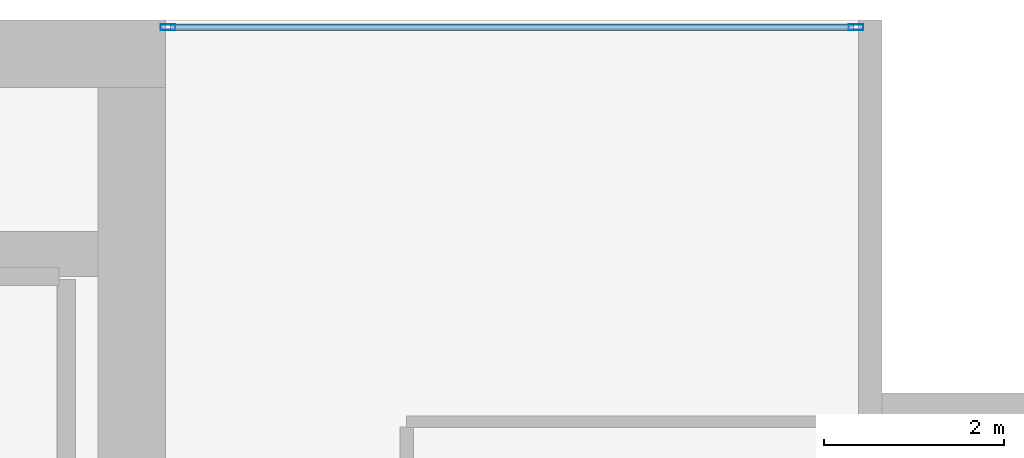
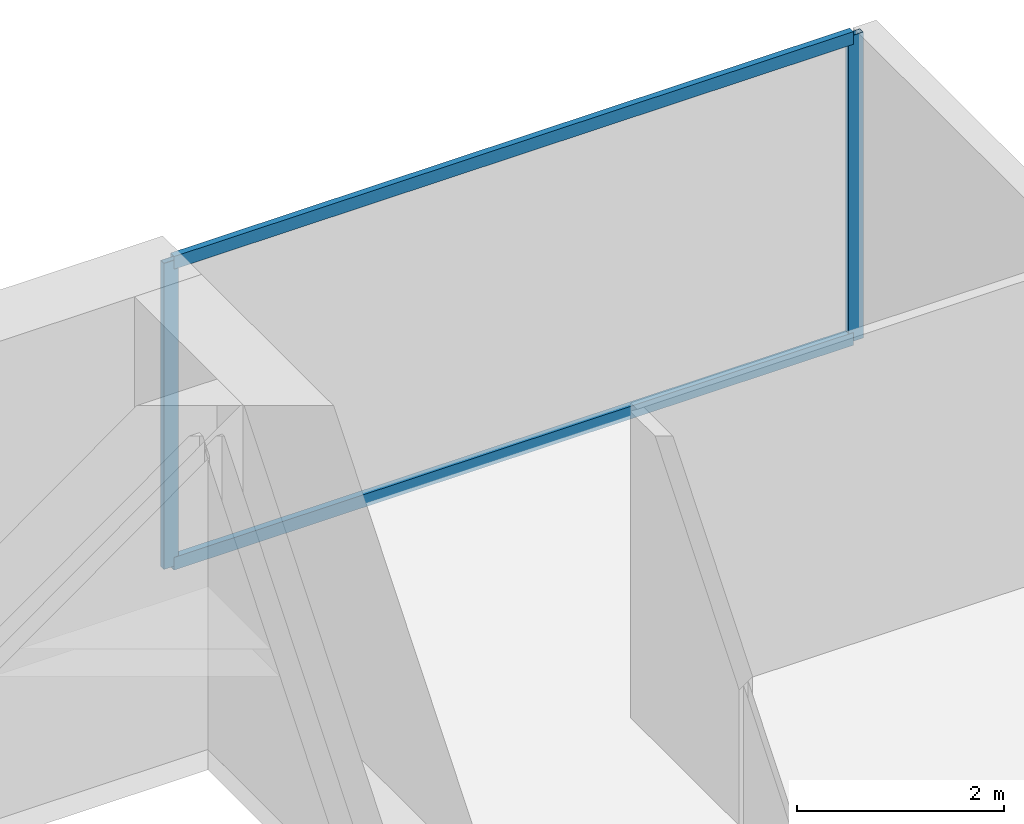
# One storey, part 25 of 34: 4 members, 1 element without a shape of its own.
"""IFC4 building model written with IfcOpenShell, lengths in metres."""

import ifcopenshell
import ifcopenshell.guid

model = None  # the IFC model being written
_history = None  # IfcOwnerHistory: only IFC2X3 demands one
_inside = {}  # id of a spatial element -> (the spatial element, [elements in it])
_under = {}  # id of a project, library or spatial element -> (it, [spatial elements below it])
_declared = {}  # id of a project -> (the project, [libraries it declares])
_typed = {}  # id of a type object -> (the type object, [elements of that type])
_made_of = {}  # id of a material, layer set ... -> (it, [elements and type objects made of it])


def new_model(schema):
    """Start an empty IFC model of exactly this schema.

    Asked for "IFC4X3", IfcOpenShell would pick the latest addendum, in which some entities
    have other attributes; the version numbers below select the first issue.
    IFC2X3 requires an IfcOwnerHistory on every rooted entity: one is made here for all.
    """
    global model, _history
    if schema == "IFC4X3":
        model = ifcopenshell.file(schema_version=(4, 3, 0, 0))
    else:
        model = ifcopenshell.file(schema=schema)
    _inside.clear()
    _under.clear()
    _declared.clear()
    _typed.clear()
    _made_of.clear()
    _history = None
    if model.schema == "IFC2X3":
        org = make("IfcOrganization", Name="unknown")
        user = make(
            "IfcPersonAndOrganization",
            ThePerson=make("IfcPerson", FamilyName="unknown"),
            TheOrganization=org,
        )
        app = make(
            "IfcApplication",
            ApplicationDeveloper=org,
            Version="unknown",
            ApplicationFullName="unknown",
            ApplicationIdentifier="unknown",
        )
        _history = make(
            "IfcOwnerHistory",
            OwningUser=user,
            OwningApplication=app,
            ChangeAction="ADDED",
            CreationDate=0,
        )
    return model


def make(cls, **values):
    """One entity of the class cls with the attributes given. An attribute that is None is left unset."""
    return model.create_entity(
        cls, **{name: value for name, value in values.items() if value is not None}
    )


def rooted(cls, **values):
    """An entity with a GlobalId (a new one), such as an element, a storey or a relation."""
    return make(cls, GlobalId=ifcopenshell.guid.new(), OwnerHistory=_history, **values)


def si_unit(unit_type, name, prefix=None):
    """IfcSIUnit, for example si_unit("LENGTHUNIT", "METRE", prefix="MILLI")."""
    return make("IfcSIUnit", UnitType=unit_type, Prefix=prefix, Name=name)


def assignment(units):
    """IfcUnitAssignment: the units of a project."""
    return None if units is None else make("IfcUnitAssignment", Units=units)


def point(xyz):
    """IfcCartesianPoint."""
    return None if xyz is None else make("IfcCartesianPoint", Coordinates=xyz)


def direction(xyz):
    """IfcDirection."""
    return None if xyz is None else make("IfcDirection", DirectionRatios=xyz)


def frame(location, z_axis=None, x_axis=None):
    """IfcAxis2Placement3D, a coordinate frame: its origin and axes. An axis left out is left unset."""
    return make(
        "IfcAxis2Placement3D",
        Location=point(location),
        Axis=direction(z_axis),
        RefDirection=direction(x_axis),
    )


def frame_2d(location, x_axis=None):
    """IfcAxis2Placement2D, a coordinate frame in the plane: its origin and x axis."""
    return make(
        "IfcAxis2Placement2D", Location=point(location), RefDirection=direction(x_axis)
    )


def origin():
    """The frame at (0, 0, 0) with its axes left unset."""
    return frame((0.0, 0.0, 0.0))


def origin_2d():
    """The frame at (0, 0) in the plane with its x axis left unset."""
    return frame_2d((0.0, 0.0))


def place(relative_to, where):
    """IfcLocalPlacement: puts the frame where relative to a parent placement (None: the world)."""
    return make(
        "IfcLocalPlacement", PlacementRelTo=relative_to, RelativePlacement=where
    )


def context(
    kind, dimensions, precision=None, world=None, true_north=None, identifier=None
):
    """IfcGeometricRepresentationContext, for example the 3D "Model" context."""
    return make(
        "IfcGeometricRepresentationContext",
        ContextIdentifier=identifier,
        ContextType=kind,
        CoordinateSpaceDimension=dimensions,
        Precision=precision,
        WorldCoordinateSystem=world,
        TrueNorth=true_north,
    )


def subcontext(parent, identifier, kind, view, scale=None):
    """IfcGeometricRepresentationSubContext, for example "Body" below "Model"."""
    return make(
        "IfcGeometricRepresentationSubContext",
        ContextIdentifier=identifier,
        ContextType=kind,
        ParentContext=parent,
        TargetScale=scale,
        TargetView=view,
    )


def project(units=None, contexts=None):
    """IfcProject with its units and contexts."""
    return rooted(
        "IfcProject",
        Name="project",
        RepresentationContexts=contexts,
        UnitsInContext=assignment(units),
    )


def spatial(cls, under=None, at=None, **own):
    """A site, building, storey or space (cls), placed at a placement, below another one or the project."""
    s = rooted(cls, ObjectPlacement=at, **own)
    if under is not None:
        _under.setdefault(under.id(), (under, []))[1].append(s)
    return s


def profile(cls, at=None, kind="AREA", **sizes):
    """A parametric profile (cls). Its sizes go by their IFC names, for example OverallWidth=200.0."""
    return make(cls, ProfileType=kind, Position=at, **sizes)


def hollow_rectangle(**sizes):
    """IfcRectangleHollowProfileDef."""
    return profile("IfcRectangleHollowProfileDef", **sizes)


def extrude(swept, where, along, depth):
    """IfcExtrudedAreaSolid: the profile swept, set in the frame where, extruded along a direction by depth."""
    return make(
        "IfcExtrudedAreaSolid",
        SweptArea=swept,
        Position=where,
        ExtrudedDirection=direction(along),
        Depth=depth,
    )


def shape(context_of_items, identifier, shape_type, items):
    """IfcShapeRepresentation: the items that make up one representation, for example the "Body"."""
    return make(
        "IfcShapeRepresentation",
        ContextOfItems=context_of_items,
        RepresentationIdentifier=identifier,
        RepresentationType=shape_type,
        Items=items,
    )


def material(Name=None, Category=None):
    """IfcMaterial."""
    return make("IfcMaterial", Name=Name, Category=Category)


def layer(
    of_material, thickness, ventilated=None, Name=None, Category=None, Priority=None
):
    """IfcMaterialLayer: one layer of a wall or slab, of a material (None: an air gap)."""
    return make(
        "IfcMaterialLayer",
        Material=of_material,
        LayerThickness=thickness,
        IsVentilated=ventilated,
        Name=Name,
        Category=Category,
        Priority=Priority,
    )


def layer_set(layers, Name=None):
    """IfcMaterialLayerSet."""
    return make("IfcMaterialLayerSet", MaterialLayers=layers, LayerSetName=Name)


def material_profile(
    of_material, cross_section, Name=None, Category=None, Priority=None
):
    """IfcMaterialProfile: a cross section and its material."""
    return make(
        "IfcMaterialProfile",
        Name=Name,
        Material=of_material,
        Profile=cross_section,
        Priority=Priority,
        Category=Category,
    )


def profile_set(profiles, Name=None, composite=None):
    """IfcMaterialProfileSet."""
    return make(
        "IfcMaterialProfileSet",
        Name=Name,
        MaterialProfiles=profiles,
        CompositeProfile=composite,
    )


def made_of(thing, what):
    """Note that an element or type object is made of a material, layer set ...; save() writes the relation."""
    if what is not None:
        _made_of.setdefault(what.id(), (what, []))[1].append(thing)
    return thing


def type_object(cls, material=None, **own):
    """A type object (cls), such as IfcWallType, which elements share."""
    return made_of(rooted(cls, **own), material)


def element(
    cls,
    number,
    at=None,
    inside=None,
    cuts=None,
    type_object=None,
    material=None,
    context=None,
    identifier="Body",
    shape_type=None,
    held_by="IfcProductDefinitionShape",
    body=None,
    shapes=None,
    **own,
):
    """One element of the class cls, such as IfcWall. Its Tag is "e" and its number.

    at: its placement. inside: the storey or other place that contains it. cuts: it is an
    opening in that element (IfcRelVoidsElement). A single representation is given by context,
    identifier, shape_type and body (its items); several are given by shapes. held_by: the class
    of the entity that holds the representations. save() writes the other relations.
    """
    e = rooted(cls, Tag="e%d" % number, ObjectPlacement=at, **own)
    if body is not None:
        shapes = [shape(context, identifier, shape_type, body)]
    if shapes is not None:
        e.Representation = make(held_by, Representations=shapes)
    if inside is not None:
        _inside.setdefault(inside.id(), (inside, []))[1].append(e)
    if cuts is not None:
        rooted(
            "IfcRelVoidsElement", RelatingBuildingElement=cuts, RelatedOpeningElement=e
        )
    if type_object is not None:
        _typed.setdefault(type_object.id(), (type_object, []))[1].append(e)
    return made_of(e, material)


def aggregate(whole, parts):
    """IfcRelAggregates: a whole, such as a stair, and the parts it consists of."""
    return rooted("IfcRelAggregates", RelatingObject=whole, RelatedObjects=parts)


def save(model, path):
    """Write the relations noted so far, then the file.

    IfcRelAggregates (storeys below a building ...), IfcRelContainedInSpatialStructure (elements
    in a storey), IfcRelDefinesByType, IfcRelAssociatesMaterial and IfcRelDeclares: one each for
    every whole, place, type object, material and project.
    """
    for whole, parts in _under.values():
        aggregate(whole, parts)
    for where, things in _inside.values():
        rooted(
            "IfcRelContainedInSpatialStructure",
            RelatedElements=things,
            RelatingStructure=where,
        )
    for kind, things in _typed.values():
        rooted("IfcRelDefinesByType", RelatedObjects=things, RelatingType=kind)
    for what, things in _made_of.values():
        rooted("IfcRelAssociatesMaterial", RelatedObjects=things, RelatingMaterial=what)
    for by, libraries in _declared.values():
        rooted("IfcRelDeclares", RelatingContext=by, RelatedDefinitions=libraries)
    model.write(path)


model = new_model("IFC4")

# Units and contexts
model_context = context("Model", 3, precision=1e-05, world=origin(), true_north=direction((0.0, 1.0)))
body_context = subcontext(model_context, "Body", "Model", "MODEL_VIEW")
ifc_project = project(units=[si_unit("LENGTHUNIT", "METRE"), si_unit("AREAUNIT", "SQUARE_METRE"), si_unit("VOLUMEUNIT", "CUBIC_METRE"), si_unit("PLANEANGLEUNIT", "RADIAN"), si_unit("MASSUNIT", "GRAM", prefix="KILO")], contexts=[model_context])

# Site, building, storey
site_placement = place(None, origin())
site = spatial("IfcSite", under=ifc_project, at=site_placement, CompositionType="ELEMENT")
building_placement = place(site_placement, origin())
building = spatial("IfcBuilding", under=site, at=building_placement, Name="Maruvema Waterfront Hotel and Observation Tower", CompositionType="ELEMENT")
storey_placement = place(building_placement, frame((0.0, 0.0, 185.14990234375)))
storey = spatial("IfcBuildingStorey", under=building, at=storey_placement, Name="L45", CompositionType="ELEMENT", Elevation=185.14990234375)

# Curtain wall, members
ifc_material_1 = material(Name="Anodised bronze aluminium and solar-control low-E IGU", Category="aluminium")
ifc_layer = layer(ifc_material_1, 0.159912109375, Name="Zone 2 Amber Inner Thermal Curtain Wall System CW-03")
ifc_layer_set = layer_set([ifc_layer], Name="Anodised bronze aluminium and solar-control low-E IGU")
curtain_wall_type = type_object("IfcCurtainWallType", Name="Zone 2 Amber Inner Thermal Curtain Wall System CW-03", PredefinedType="USERDEFINED", material=ifc_layer_set)
curtain_wall_placement = place(storey_placement, origin())
curtain_wall = element("IfcCurtainWall", 1, at=curtain_wall_placement, inside=storey, type_object=curtain_wall_type, Name="L45 Curtain Wall CW-L45-NE", ObjectType="UNITISED CURTAIN WALL", PredefinedType="USERDEFINED")
ifc_material_2 = material(Name="Anodised architectural bronze aluminium", Category="aluminium")
ifc_material_profile_1 = material_profile(ifc_material_2, hollow_rectangle(XDim=0.070068359375, YDim=0.14990234375, WallThickness=0.00390625, at=origin_2d()), Name="ALU-T70x150")
ifc_profile_set_1 = profile_set([ifc_material_profile_1], Name="Anodised architectural bronze aluminium")
member_type_1 = type_object("IfcMemberType", Name="Curtain Wall Horizontal Transom ALU-T70x150", PredefinedType="USERDEFINED", material=ifc_profile_set_1)
member_1_placement = place(storey_placement, frame((58.0400390625, 53.919921875, 0.030029296875), z_axis=(-1.0, 0.0, 0.0), x_axis=(0.0, -1.0, 0.0)))
member_1 = element("IfcMember", 2, at=member_1_placement, type_object=member_type_1, Name="CW-03 transom 1.1", ObjectType="TRANSOM", PredefinedType="USERDEFINED", context=body_context, shape_type="SweptSolid", body=[
    extrude(hollow_rectangle(XDim=0.070068359375, YDim=0.14990234375, WallThickness=0.00390625, at=origin_2d()), origin(), (0.0, 0.0, 1.0), 7.580078125),
])
member_2_placement = place(storey_placement, frame((58.0400390625, 53.919921875, 3.580078125), z_axis=(-1.0, 0.0, 0.0), x_axis=(0.0, -1.0, 0.0)))
member_2 = element("IfcMember", 3, at=member_2_placement, type_object=member_type_1, Name="CW-03 transom 1.2", ObjectType="TRANSOM", PredefinedType="USERDEFINED", context=body_context, shape_type="SweptSolid", body=[
    extrude(hollow_rectangle(XDim=0.070068359375, YDim=0.14990234375, WallThickness=0.00390625, at=origin_2d()), origin(), (0.0, 0.0, 1.0), 7.580078125),
])
ifc_material_3 = material(Name="Anodised architectural bronze aluminium", Category="aluminium")
ifc_material_profile_2 = material_profile(ifc_material_3, hollow_rectangle(XDim=0.06494140625, YDim=0.1650390625, WallThickness=0.00390625, at=origin_2d()), Name="ALU-M65x165")
ifc_profile_set_2 = profile_set([ifc_material_profile_2], Name="Anodised architectural bronze aluminium")
member_type_2 = type_object("IfcMemberType", Name="Curtain Wall Primary Mullion ALU-M65x165", PredefinedType="MULLION", material=ifc_profile_set_2)
member_3_placement = place(storey_placement, frame((58.070068359375, 53.919921875, 0.0), z_axis=(0.0, 0.0, 1.0), x_axis=(0.0, -1.0, 0.0)))
member_3 = element("IfcMember", 4, at=member_3_placement, type_object=member_type_2, Name="CW-03 mullion 1", PredefinedType="MULLION", context=body_context, shape_type="SweptSolid", body=[
    extrude(hollow_rectangle(XDim=0.06494140625, YDim=0.1650390625, WallThickness=0.00390625, at=origin_2d()), origin(), (0.0, 0.0, 1.0), 3.610107421875),
])
member_4_placement = place(storey_placement, frame((50.429931640625, 53.919921875, 0.0), z_axis=(0.0, 0.0, 1.0), x_axis=(0.0, -1.0, 0.0)))
member_4 = element("IfcMember", 5, at=member_4_placement, type_object=member_type_2, Name="CW-03 mullion 2", PredefinedType="MULLION", context=body_context, shape_type="SweptSolid", body=[
    extrude(hollow_rectangle(XDim=0.06494140625, YDim=0.1650390625, WallThickness=0.00390625, at=origin_2d()), origin(), (0.0, 0.0, 1.0), 3.610107421875),
])
aggregate(curtain_wall, [member_3, member_4, member_1, member_2])

save(model, "model.ifc")
